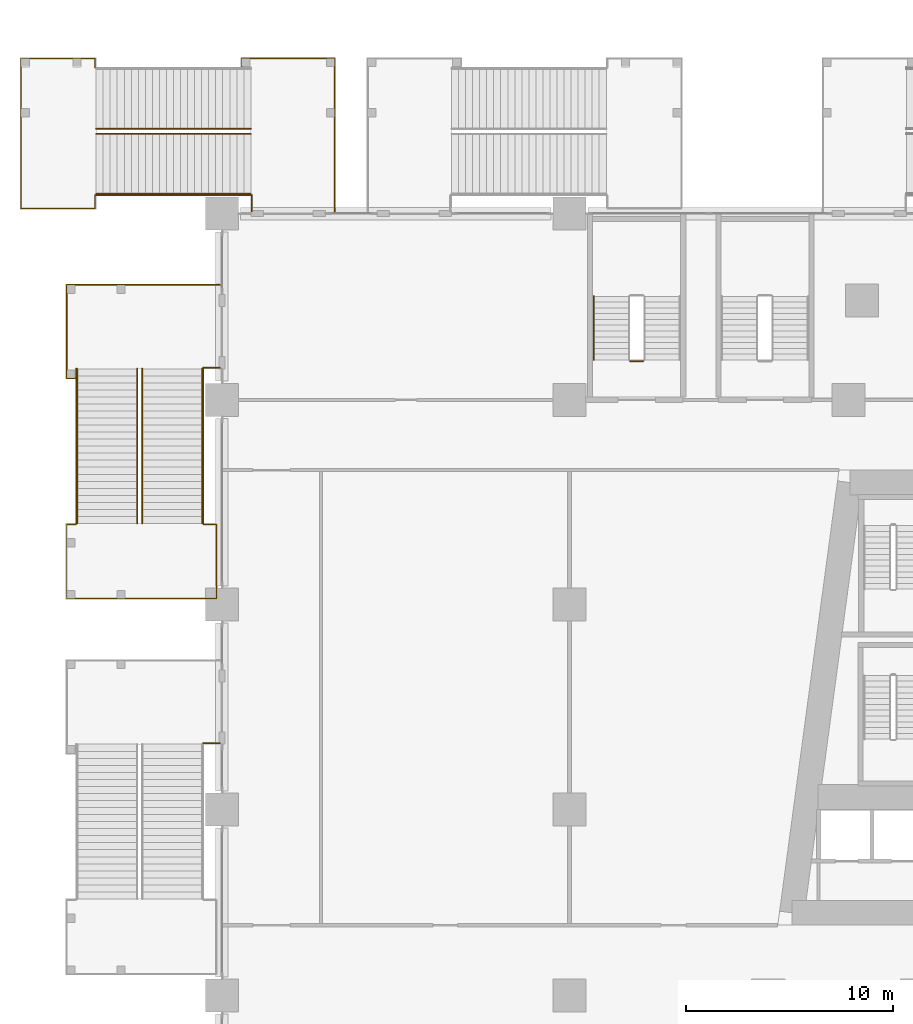
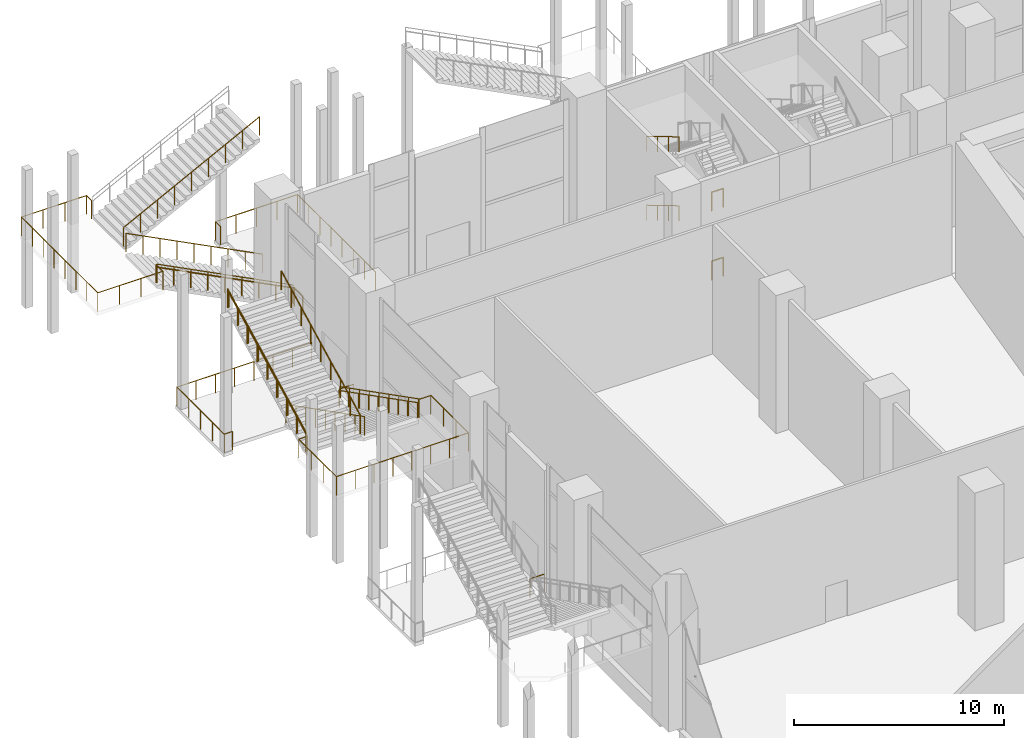
# One storey, part 43 of 52: 21 railings.
"""IFC4 building model written with IfcOpenShell, lengths in metres."""

from ifc_helpers import new_model, si_unit, direction, frame, origin, origin_2d, place, context, subcontext, project, spatial, circle, extrude, material, type_object, element, save


model = new_model("IFC4")

# Units and contexts
model_context = context("Model", 3, precision=1e-05, world=origin(), true_north=direction((0.0, 1.0)))
body_context = subcontext(model_context, "Body", "Model", "MODEL_VIEW")
ifc_project = project(units=[si_unit("LENGTHUNIT", "METRE"), si_unit("AREAUNIT", "SQUARE_METRE"), si_unit("VOLUMEUNIT", "CUBIC_METRE"), si_unit("PLANEANGLEUNIT", "RADIAN"), si_unit("MASSUNIT", "GRAM", prefix="KILO")], contexts=[model_context])

# Site, building, storey
site_placement = place(None, origin())
site = spatial("IfcSite", under=ifc_project, at=site_placement, CompositionType="ELEMENT")
building_placement = place(site_placement, origin())
building = spatial("IfcBuilding", under=site, at=building_placement, Name="Candeia Pilgrim Tower and Theatre", CompositionType="ELEMENT")
storey_placement = place(building_placement, frame((0.0, 0.0, 9.0)))
storey = spatial("IfcBuildingStorey", under=building, at=storey_placement, Name="L01", CompositionType="ELEMENT", Elevation=9.0)

# Railings
ifc_material_1 = material(Name="Stainless steel balustrade", Category="steel")
railing_type_1 = type_object("IfcRailingType", Name="RL-GUARD-1100", PredefinedType="GUARDRAIL", material=ifc_material_1)
for number, where, name in (
    (1, (79.175048828125, 137.675048828125, 4.0), "L01 PS1 stair guard 2"),
    (2, (79.175048828125, 137.675048828125, 0.0), "L01 PS1 stair guard 4"),
):
    element("IfcRailing", number, at=place(storey_placement, frame(where)), inside=storey, type_object=railing_type_1, Name=name, PredefinedType="GUARDRAIL", context=body_context, shape_type="SweptSolid", body=[
        extrude(circle(Radius=0.02392578125, at=origin_2d()), frame((0.0, 0.0, 1.076171875), z_axis=(-1.0, 0.0, 0.0), x_axis=(0.0, -1.0, 0.0)), (0.0, 0.0, 1.0), 0.650146484375),
        extrude(circle(Radius=0.02099609375, at=origin_2d()), origin(), (0.0, 0.0, 1.0), 1.052001953125),
        extrude(circle(Radius=0.02099609375, at=origin_2d()), frame((-0.650146484375, 0.0, 0.0)), (0.0, 0.0, 1.0), 1.052001953125),
    ])
railing_1_placement = place(storey_placement, frame((60.199951171875, 148.64990234375, 0.173828125)))
element("IfcRailing", 3, at=railing_1_placement, inside=storey, type_object=railing_type_1, Name="L01 ES3 stair guard 1", PredefinedType="GUARDRAIL", context=body_context, shape_type="SweptSolid", body=[
    extrude(circle(Radius=0.02392578125, at=origin_2d()), frame((0.0, 0.0, 1.076171875), z_axis=(-0.890286522184, 0.0, 0.455400821714), x_axis=(0.0, -1.0, 0.0)), (0.0, 0.0, 1.0), 8.40185546875),
    extrude(circle(Radius=0.02099609375, at=origin_2d()), origin(), (0.0, 0.0, 1.0), 1.052001953125),
    extrude(circle(Radius=0.02099609375, at=origin_2d()), frame((-0.93505859375, 0.0, 0.478271484375)), (0.0, 0.0, 1.0), 1.052001953125),
    extrude(circle(Radius=0.02099609375, at=origin_2d()), frame((-1.8701171875, 0.0, 0.95654296875)), (0.0, 0.0, 1.0), 1.052001953125),
    extrude(circle(Radius=0.02099609375, at=origin_2d()), frame((-2.804931640625, 0.0, 1.434814453125)), (0.0, 0.0, 1.0), 1.052001953125),
    extrude(circle(Radius=0.02099609375, at=origin_2d()), frame((-3.739990234375, 0.0, 1.9130859375)), (0.0, 0.0, 1.0), 1.052001953125),
    extrude(circle(Radius=0.02099609375, at=origin_2d()), frame((-4.675048828125, 0.0, 2.391357421875)), (0.0, 0.0, 1.0), 1.052001953125),
    extrude(circle(Radius=0.02099609375, at=origin_2d()), frame((-5.60986328125, 0.0, 2.86962890625)), (0.0, 0.0, 1.0), 1.052001953125),
    extrude(circle(Radius=0.02099609375, at=origin_2d()), frame((-6.544921875, 0.0, 3.347900390625)), (0.0, 0.0, 1.0), 1.052001953125),
    extrude(circle(Radius=0.02099609375, at=origin_2d()), frame((-7.47998046875, 0.0, 3.826171875)), (0.0, 0.0, 1.0), 1.052001953125),
])
railing_2_placement = place(storey_placement, frame((52.719970703125, 148.89990234375, 4.173828125)))
element("IfcRailing", 4, at=railing_2_placement, inside=storey, type_object=railing_type_1, Name="L01 ES3 stair guard 2", PredefinedType="GUARDRAIL", context=body_context, shape_type="SweptSolid", body=[
    extrude(circle(Radius=0.02392578125, at=origin_2d()), frame((0.0, 0.0, 1.076171875), z_axis=(0.890286522184, 0.0, 0.455400821714), x_axis=(0.0, 1.0, 0.0)), (0.0, 0.0, 1.0), 8.40185546875),
    extrude(circle(Radius=0.02099609375, at=origin_2d()), origin(), (0.0, 0.0, 1.0), 1.052001953125),
    extrude(circle(Radius=0.02099609375, at=origin_2d()), frame((0.93505859375, 0.0, 0.478271484375)), (0.0, 0.0, 1.0), 1.052001953125),
    extrude(circle(Radius=0.02099609375, at=origin_2d()), frame((1.8701171875, 0.0, 0.95654296875)), (0.0, 0.0, 1.0), 1.052001953125),
    extrude(circle(Radius=0.02099609375, at=origin_2d()), frame((2.804931640625, 0.0, 1.434814453125)), (0.0, 0.0, 1.0), 1.052001953125),
    extrude(circle(Radius=0.02099609375, at=origin_2d()), frame((3.739990234375, 0.0, 1.9130859375)), (0.0, 0.0, 1.0), 1.052001953125),
    extrude(circle(Radius=0.02099609375, at=origin_2d()), frame((4.675048828125, 0.0, 2.391357421875)), (0.0, 0.0, 1.0), 1.052001953125),
    extrude(circle(Radius=0.02099609375, at=origin_2d()), frame((5.60986328125, 0.0, 2.86962890625)), (0.0, 0.0, 1.0), 1.052001953125),
    extrude(circle(Radius=0.02099609375, at=origin_2d()), frame((6.544921875, 0.0, 3.347900390625)), (0.0, 0.0, 1.0), 1.052001953125),
    extrude(circle(Radius=0.02099609375, at=origin_2d()), frame((7.47998046875, 0.0, 3.826171875)), (0.0, 0.0, 1.0), 1.052001953125),
])
railing_3_placement = place(storey_placement, frame((60.199951171875, 145.699951171875, 0.173828125)))
element("IfcRailing", 5, at=railing_3_placement, inside=storey, type_object=railing_type_1, Name="L01 ES3 stair guard 3", PredefinedType="GUARDRAIL", context=body_context, shape_type="SweptSolid", body=[
    extrude(circle(Radius=0.02392578125, at=origin_2d()), frame((0.0, 0.0, 1.076171875), z_axis=(-0.890286522184, 0.0, 0.455400821714), x_axis=(0.0, -1.0, 0.0)), (0.0, 0.0, 1.0), 8.40185546875),
    extrude(circle(Radius=0.02099609375, at=origin_2d()), origin(), (0.0, 0.0, 1.0), 1.052001953125),
    extrude(circle(Radius=0.02099609375, at=origin_2d()), frame((-0.93505859375, 0.0, 0.478271484375)), (0.0, 0.0, 1.0), 1.052001953125),
    extrude(circle(Radius=0.02099609375, at=origin_2d()), frame((-1.8701171875, 0.0, 0.95654296875)), (0.0, 0.0, 1.0), 1.052001953125),
    extrude(circle(Radius=0.02099609375, at=origin_2d()), frame((-2.804931640625, 0.0, 1.434814453125)), (0.0, 0.0, 1.0), 1.052001953125),
    extrude(circle(Radius=0.02099609375, at=origin_2d()), frame((-3.739990234375, 0.0, 1.9130859375)), (0.0, 0.0, 1.0), 1.052001953125),
    extrude(circle(Radius=0.02099609375, at=origin_2d()), frame((-4.675048828125, 0.0, 2.391357421875)), (0.0, 0.0, 1.0), 1.052001953125),
    extrude(circle(Radius=0.02099609375, at=origin_2d()), frame((-5.60986328125, 0.0, 2.86962890625)), (0.0, 0.0, 1.0), 1.052001953125),
    extrude(circle(Radius=0.02099609375, at=origin_2d()), frame((-6.544921875, 0.0, 3.347900390625)), (0.0, 0.0, 1.0), 1.052001953125),
    extrude(circle(Radius=0.02099609375, at=origin_2d()), frame((-7.47998046875, 0.0, 3.826171875)), (0.0, 0.0, 1.0), 1.052001953125),
])
railing_4_placement = place(storey_placement, frame((52.669921875, 145.699951171875, 4.0)))
element("IfcRailing", 6, at=railing_4_placement, inside=storey, type_object=railing_type_1, Name="L01 ES3 stair guard 5", PredefinedType="GUARDRAIL", context=body_context, shape_type="SweptSolid", body=[
    extrude(circle(Radius=0.02392578125, at=origin_2d()), frame((0.0, 0.0, 1.076171875), z_axis=(0.0, -1.0, 0.0), x_axis=(1.0, 0.0, 0.0)), (0.0, 0.0, 1.0), 0.64990234375),
    extrude(circle(Radius=0.02392578125, at=origin_2d()), frame((0.0, -0.64990234375, 1.076171875), z_axis=(-1.0, 0.0, 0.0), x_axis=(0.0, -1.0, 0.0)), (0.0, 0.0, 1.0), 3.579833984375),
    extrude(circle(Radius=0.02392578125, at=origin_2d()), frame((-3.579833984375, -0.64990234375, 1.076171875), z_axis=(0.0, 1.0, 0.0), x_axis=(-1.0, 0.0, 0.0)), (0.0, 0.0, 1.0), 7.25),
    extrude(circle(Radius=0.02392578125, at=origin_2d()), frame((-3.579833984375, 6.60009765625, 1.076171875), z_axis=(1.0, 0.0, 0.0), x_axis=(0.0, 1.0, 0.0)), (0.0, 0.0, 1.0), 3.579833984375),
    extrude(circle(Radius=0.02392578125, at=origin_2d()), frame((0.0, 6.60009765625, 1.076171875), z_axis=(0.0, -1.0, 0.0), x_axis=(1.0, 0.0, 0.0)), (0.0, 0.0, 1.0), 0.449951171875),
    extrude(circle(Radius=0.02099609375, at=origin_2d()), origin(), (0.0, 0.0, 1.0), 1.052001953125),
    extrude(circle(Radius=0.02099609375, at=origin_2d()), frame((0.0, -0.64990234375, 0.0)), (0.0, 0.0, 1.0), 1.052001953125),
    extrude(circle(Radius=0.02099609375, at=origin_2d()), frame((-1.193359375, -0.64990234375, 0.0)), (0.0, 0.0, 1.0), 1.052001953125),
    extrude(circle(Radius=0.02099609375, at=origin_2d()), frame((-2.386474609375, -0.64990234375, 0.0)), (0.0, 0.0, 1.0), 1.052001953125),
    extrude(circle(Radius=0.02099609375, at=origin_2d()), frame((-3.579833984375, -0.64990234375, 0.0)), (0.0, 0.0, 1.0), 1.052001953125),
    extrude(circle(Radius=0.02099609375, at=origin_2d()), frame((-3.579833984375, 0.3857421875, 0.0)), (0.0, 0.0, 1.0), 1.052001953125),
    extrude(circle(Radius=0.02099609375, at=origin_2d()), frame((-3.579833984375, 1.421630859375, 0.0)), (0.0, 0.0, 1.0), 1.052001953125),
    extrude(circle(Radius=0.02099609375, at=origin_2d()), frame((-3.579833984375, 2.457275390625, 0.0)), (0.0, 0.0, 1.0), 1.052001953125),
    extrude(circle(Radius=0.02099609375, at=origin_2d()), frame((-3.579833984375, 3.492919921875, 0.0)), (0.0, 0.0, 1.0), 1.052001953125),
    extrude(circle(Radius=0.02099609375, at=origin_2d()), frame((-3.579833984375, 4.528564453125, 0.0)), (0.0, 0.0, 1.0), 1.052001953125),
    extrude(circle(Radius=0.02099609375, at=origin_2d()), frame((-3.579833984375, 5.564453125, 0.0)), (0.0, 0.0, 1.0), 1.052001953125),
    extrude(circle(Radius=0.02099609375, at=origin_2d()), frame((-3.579833984375, 6.60009765625, 0.0)), (0.0, 0.0, 1.0), 1.052001953125),
    extrude(circle(Radius=0.02099609375, at=origin_2d()), frame((-2.386474609375, 6.60009765625, 0.0)), (0.0, 0.0, 1.0), 1.052001953125),
    extrude(circle(Radius=0.02099609375, at=origin_2d()), frame((-1.193359375, 6.60009765625, 0.0)), (0.0, 0.0, 1.0), 1.052001953125),
    extrude(circle(Radius=0.02099609375, at=origin_2d()), frame((0.0, 6.60009765625, 0.0)), (0.0, 0.0, 1.0), 1.052001953125),
    extrude(circle(Radius=0.02099609375, at=origin_2d()), frame((0.0, 6.150146484375, 0.0)), (0.0, 0.0, 1.0), 1.052001953125),
])
railing_5_placement = place(storey_placement, frame((64.25, 144.89990234375, 0.0)))
element("IfcRailing", 7, at=railing_5_placement, inside=storey, type_object=railing_type_1, Name="L01 External escape stair ES3 landing guard", PredefinedType="GUARDRAIL", context=body_context, shape_type="SweptSolid", body=[
    extrude(circle(Radius=0.02392578125, at=origin_2d()), frame((0.0, 0.0, 1.076171875), z_axis=(0.0, 1.0, 0.0), x_axis=(-1.0, 0.0, 0.0)), (0.0, 0.0, 1.0), 7.400146484375),
    extrude(circle(Radius=0.02392578125, at=origin_2d()), frame((0.0, 7.400146484375, 1.076171875), z_axis=(-1.0, 0.0, 0.0), x_axis=(0.0, -1.0, 0.0)), (0.0, 0.0, 1.0), 4.5),
    extrude(circle(Radius=0.02392578125, at=origin_2d()), frame((-4.5, 7.400146484375, 1.076171875), z_axis=(0.0, -1.0, 0.0), x_axis=(1.0, 0.0, 0.0)), (0.0, 0.0, 1.0), 0.449951171875),
    extrude(circle(Radius=0.02099609375, at=origin_2d()), origin(), (0.0, 0.0, 1.0), 1.052001953125),
    extrude(circle(Radius=0.02099609375, at=origin_2d()), frame((0.0, 1.05712890625, 0.0)), (0.0, 0.0, 1.0), 1.052001953125),
    extrude(circle(Radius=0.02099609375, at=origin_2d()), frame((0.0, 2.1142578125, 0.0)), (0.0, 0.0, 1.0), 1.052001953125),
    extrude(circle(Radius=0.02099609375, at=origin_2d()), frame((0.0, 3.17138671875, 0.0)), (0.0, 0.0, 1.0), 1.052001953125),
    extrude(circle(Radius=0.02099609375, at=origin_2d()), frame((0.0, 4.228759765625, 0.0)), (0.0, 0.0, 1.0), 1.052001953125),
    extrude(circle(Radius=0.02099609375, at=origin_2d()), frame((0.0, 5.285888671875, 0.0)), (0.0, 0.0, 1.0), 1.052001953125),
    extrude(circle(Radius=0.02099609375, at=origin_2d()), frame((0.0, 6.343017578125, 0.0)), (0.0, 0.0, 1.0), 1.052001953125),
    extrude(circle(Radius=0.02099609375, at=origin_2d()), frame((0.0, 7.400146484375, 0.0)), (0.0, 0.0, 1.0), 1.052001953125),
    extrude(circle(Radius=0.02099609375, at=origin_2d()), frame((-1.125, 7.400146484375, 0.0)), (0.0, 0.0, 1.0), 1.052001953125),
    extrude(circle(Radius=0.02099609375, at=origin_2d()), frame((-2.25, 7.400146484375, 0.0)), (0.0, 0.0, 1.0), 1.052001953125),
    extrude(circle(Radius=0.02099609375, at=origin_2d()), frame((-3.375, 7.400146484375, 0.0)), (0.0, 0.0, 1.0), 1.052001953125),
    extrude(circle(Radius=0.02099609375, at=origin_2d()), frame((-4.5, 7.400146484375, 0.0)), (0.0, 0.0, 1.0), 1.052001953125),
    extrude(circle(Radius=0.02099609375, at=origin_2d()), frame((-4.5, 6.9501953125, 0.0)), (0.0, 0.0, 1.0), 1.052001953125),
])
railing_6_placement = place(storey_placement, frame((60.25, 144.89990234375, 0.0)))
element("IfcRailing", 8, at=railing_6_placement, inside=storey, type_object=railing_type_1, Name="L01 External escape stair ES3 bridge guard", PredefinedType="GUARDRAIL", context=body_context, shape_type="SweptSolid", body=[
    extrude(circle(Radius=0.02392578125, at=origin_2d()), frame((0.0, 0.0, 1.076171875), z_axis=(0.0, 1.0, 0.0), x_axis=(-1.0, 0.0, 0.0)), (0.0, 0.0, 1.0), 0.800048828125),
    extrude(circle(Radius=0.02099609375, at=origin_2d()), origin(), (0.0, 0.0, 1.0), 1.052001953125),
    extrude(circle(Radius=0.02099609375, at=origin_2d()), frame((0.0, 0.800048828125, 0.0)), (0.0, 0.0, 1.0), 1.052001953125),
])
railing_7_placement = place(storey_placement, frame((54.949951171875, 137.300048828125, 0.173828125)))
element("IfcRailing", 9, at=railing_7_placement, inside=storey, type_object=railing_type_1, Name="L01 ES13 stair guard 1", PredefinedType="GUARDRAIL", context=body_context, shape_type="SweptSolid", body=[
    extrude(circle(Radius=0.02392578125, at=origin_2d()), frame((0.0, 0.0, 1.076171875), z_axis=(0.0, -0.890286522184, 0.455400821714), x_axis=(1.0, 0.0, 0.0)), (0.0, 0.0, 1.0), 8.40185546875),
    extrude(circle(Radius=0.02099609375, at=origin_2d()), origin(), (0.0, 0.0, 1.0), 1.052001953125),
    extrude(circle(Radius=0.02099609375, at=origin_2d()), frame((0.0, -0.93505859375, 0.478271484375)), (0.0, 0.0, 1.0), 1.052001953125),
    extrude(circle(Radius=0.02099609375, at=origin_2d()), frame((0.0, -1.8701171875, 0.95654296875)), (0.0, 0.0, 1.0), 1.052001953125),
    extrude(circle(Radius=0.02099609375, at=origin_2d()), frame((0.0, -2.804931640625, 1.434814453125)), (0.0, 0.0, 1.0), 1.052001953125),
    extrude(circle(Radius=0.02099609375, at=origin_2d()), frame((0.0, -3.739990234375, 1.9130859375)), (0.0, 0.0, 1.0), 1.052001953125),
    extrude(circle(Radius=0.02099609375, at=origin_2d()), frame((0.0, -4.675048828125, 2.391357421875)), (0.0, 0.0, 1.0), 1.052001953125),
    extrude(circle(Radius=0.02099609375, at=origin_2d()), frame((0.0, -5.60986328125, 2.86962890625)), (0.0, 0.0, 1.0), 1.052001953125),
    extrude(circle(Radius=0.02099609375, at=origin_2d()), frame((0.0, -6.544921875, 3.347900390625)), (0.0, 0.0, 1.0), 1.052001953125),
    extrude(circle(Radius=0.02099609375, at=origin_2d()), frame((0.0, -7.47998046875, 3.826171875)), (0.0, 0.0, 1.0), 1.052001953125),
])
railing_8_placement = place(storey_placement, frame((54.699951171875, 129.820068359375, 4.173828125)))
element("IfcRailing", 10, at=railing_8_placement, inside=storey, type_object=railing_type_1, Name="L01 ES13 stair guard 2", PredefinedType="GUARDRAIL", context=body_context, shape_type="SweptSolid", body=[
    extrude(circle(Radius=0.02392578125, at=origin_2d()), frame((0.0, 0.0, 1.076171875), z_axis=(0.0, 0.890286522184, 0.455400821714), x_axis=(-1.0, 0.0, 0.0)), (0.0, 0.0, 1.0), 8.40185546875),
    extrude(circle(Radius=0.02099609375, at=origin_2d()), origin(), (0.0, 0.0, 1.0), 1.052001953125),
    extrude(circle(Radius=0.02099609375, at=origin_2d()), frame((0.0, 0.93505859375, 0.478271484375)), (0.0, 0.0, 1.0), 1.052001953125),
    extrude(circle(Radius=0.02099609375, at=origin_2d()), frame((0.0, 1.8701171875, 0.95654296875)), (0.0, 0.0, 1.0), 1.052001953125),
    extrude(circle(Radius=0.02099609375, at=origin_2d()), frame((0.0, 2.804931640625, 1.434814453125)), (0.0, 0.0, 1.0), 1.052001953125),
    extrude(circle(Radius=0.02099609375, at=origin_2d()), frame((0.0, 3.739990234375, 1.9130859375)), (0.0, 0.0, 1.0), 1.052001953125),
    extrude(circle(Radius=0.02099609375, at=origin_2d()), frame((0.0, 4.675048828125, 2.391357421875)), (0.0, 0.0, 1.0), 1.052001953125),
    extrude(circle(Radius=0.02099609375, at=origin_2d()), frame((0.0, 5.60986328125, 2.86962890625)), (0.0, 0.0, 1.0), 1.052001953125),
    extrude(circle(Radius=0.02099609375, at=origin_2d()), frame((0.0, 6.544921875, 3.347900390625)), (0.0, 0.0, 1.0), 1.052001953125),
    extrude(circle(Radius=0.02099609375, at=origin_2d()), frame((0.0, 7.47998046875, 3.826171875)), (0.0, 0.0, 1.0), 1.052001953125),
])
railing_9_placement = place(storey_placement, frame((57.89990234375, 137.300048828125, 0.173828125)))
element("IfcRailing", 11, at=railing_9_placement, inside=storey, type_object=railing_type_1, Name="L01 ES13 stair guard 3", PredefinedType="GUARDRAIL", context=body_context, shape_type="SweptSolid", body=[
    extrude(circle(Radius=0.02392578125, at=origin_2d()), frame((0.0, 0.0, 1.076171875), z_axis=(0.0, -0.890286522184, 0.455400821714), x_axis=(1.0, 0.0, 0.0)), (0.0, 0.0, 1.0), 8.40185546875),
    extrude(circle(Radius=0.02099609375, at=origin_2d()), origin(), (0.0, 0.0, 1.0), 1.052001953125),
    extrude(circle(Radius=0.02099609375, at=origin_2d()), frame((0.0, -0.93505859375, 0.478271484375)), (0.0, 0.0, 1.0), 1.052001953125),
    extrude(circle(Radius=0.02099609375, at=origin_2d()), frame((0.0, -1.8701171875, 0.95654296875)), (0.0, 0.0, 1.0), 1.052001953125),
    extrude(circle(Radius=0.02099609375, at=origin_2d()), frame((0.0, -2.804931640625, 1.434814453125)), (0.0, 0.0, 1.0), 1.052001953125),
    extrude(circle(Radius=0.02099609375, at=origin_2d()), frame((0.0, -3.739990234375, 1.9130859375)), (0.0, 0.0, 1.0), 1.052001953125),
    extrude(circle(Radius=0.02099609375, at=origin_2d()), frame((0.0, -4.675048828125, 2.391357421875)), (0.0, 0.0, 1.0), 1.052001953125),
    extrude(circle(Radius=0.02099609375, at=origin_2d()), frame((0.0, -5.60986328125, 2.86962890625)), (0.0, 0.0, 1.0), 1.052001953125),
    extrude(circle(Radius=0.02099609375, at=origin_2d()), frame((0.0, -6.544921875, 3.347900390625)), (0.0, 0.0, 1.0), 1.052001953125),
    extrude(circle(Radius=0.02099609375, at=origin_2d()), frame((0.0, -7.47998046875, 3.826171875)), (0.0, 0.0, 1.0), 1.052001953125),
])
railing_10_placement = place(storey_placement, frame((51.75, 129.820068359375, 4.173828125)))
element("IfcRailing", 12, at=railing_10_placement, inside=storey, type_object=railing_type_1, Name="L01 ES13 stair guard 4", PredefinedType="GUARDRAIL", context=body_context, shape_type="SweptSolid", body=[
    extrude(circle(Radius=0.02392578125, at=origin_2d()), frame((0.0, 0.0, 1.076171875), z_axis=(0.0, 0.890286522184, 0.455400821714), x_axis=(-1.0, 0.0, 0.0)), (0.0, 0.0, 1.0), 8.40185546875),
    extrude(circle(Radius=0.02099609375, at=origin_2d()), origin(), (0.0, 0.0, 1.0), 1.052001953125),
    extrude(circle(Radius=0.02099609375, at=origin_2d()), frame((0.0, 0.93505859375, 0.478271484375)), (0.0, 0.0, 1.0), 1.052001953125),
    extrude(circle(Radius=0.02099609375, at=origin_2d()), frame((0.0, 1.8701171875, 0.95654296875)), (0.0, 0.0, 1.0), 1.052001953125),
    extrude(circle(Radius=0.02099609375, at=origin_2d()), frame((0.0, 2.804931640625, 1.434814453125)), (0.0, 0.0, 1.0), 1.052001953125),
    extrude(circle(Radius=0.02099609375, at=origin_2d()), frame((0.0, 3.739990234375, 1.9130859375)), (0.0, 0.0, 1.0), 1.052001953125),
    extrude(circle(Radius=0.02099609375, at=origin_2d()), frame((0.0, 4.675048828125, 2.391357421875)), (0.0, 0.0, 1.0), 1.052001953125),
    extrude(circle(Radius=0.02099609375, at=origin_2d()), frame((0.0, 5.60986328125, 2.86962890625)), (0.0, 0.0, 1.0), 1.052001953125),
    extrude(circle(Radius=0.02099609375, at=origin_2d()), frame((0.0, 6.544921875, 3.347900390625)), (0.0, 0.0, 1.0), 1.052001953125),
    extrude(circle(Radius=0.02099609375, at=origin_2d()), frame((0.0, 7.47998046875, 3.826171875)), (0.0, 0.0, 1.0), 1.052001953125),
])
railing_11_placement = place(storey_placement, frame((57.89990234375, 129.77001953125, 4.0)))
element("IfcRailing", 13, at=railing_11_placement, inside=storey, type_object=railing_type_1, Name="L01 ES13 stair guard 5", PredefinedType="GUARDRAIL", context=body_context, shape_type="SweptSolid", body=[
    extrude(circle(Radius=0.02392578125, at=origin_2d()), frame((0.0, 0.0, 1.076171875), z_axis=(1.0, 0.0, 0.0), x_axis=(0.0, 1.0, 0.0)), (0.0, 0.0, 1.0), 0.650146484375),
    extrude(circle(Radius=0.02392578125, at=origin_2d()), frame((0.650146484375, 0.0, 1.076171875), z_axis=(0.0, -1.0, 0.0), x_axis=(1.0, 0.0, 0.0)), (0.0, 0.0, 1.0), 3.580078125),
    extrude(circle(Radius=0.02392578125, at=origin_2d()), frame((0.650146484375, -3.580078125, 1.076171875), z_axis=(-1.0, 0.0, 0.0), x_axis=(0.0, -1.0, 0.0)), (0.0, 0.0, 1.0), 7.25),
    extrude(circle(Radius=0.02392578125, at=origin_2d()), frame((-6.599853515625, -3.580078125, 1.076171875), z_axis=(0.0, 1.0, 0.0), x_axis=(-1.0, 0.0, 0.0)), (0.0, 0.0, 1.0), 3.580078125),
    extrude(circle(Radius=0.02392578125, at=origin_2d()), frame((-6.599853515625, 0.0, 1.076171875), z_axis=(1.0, 0.0, 0.0), x_axis=(0.0, 1.0, 0.0)), (0.0, 0.0, 1.0), 0.449951171875),
    extrude(circle(Radius=0.02099609375, at=origin_2d()), origin(), (0.0, 0.0, 1.0), 1.052001953125),
    extrude(circle(Radius=0.02099609375, at=origin_2d()), frame((0.650146484375, 0.0, 0.0)), (0.0, 0.0, 1.0), 1.052001953125),
    extrude(circle(Radius=0.02099609375, at=origin_2d()), frame((0.650146484375, -1.193359375, 0.0)), (0.0, 0.0, 1.0), 1.052001953125),
    extrude(circle(Radius=0.02099609375, at=origin_2d()), frame((0.650146484375, -2.38671875, 0.0)), (0.0, 0.0, 1.0), 1.052001953125),
    extrude(circle(Radius=0.02099609375, at=origin_2d()), frame((0.650146484375, -3.580078125, 0.0)), (0.0, 0.0, 1.0), 1.052001953125),
    extrude(circle(Radius=0.02099609375, at=origin_2d()), frame((-0.385498046875, -3.580078125, 0.0)), (0.0, 0.0, 1.0), 1.052001953125),
    extrude(circle(Radius=0.02099609375, at=origin_2d()), frame((-1.42138671875, -3.580078125, 0.0)), (0.0, 0.0, 1.0), 1.052001953125),
    extrude(circle(Radius=0.02099609375, at=origin_2d()), frame((-2.45703125, -3.580078125, 0.0)), (0.0, 0.0, 1.0), 1.052001953125),
    extrude(circle(Radius=0.02099609375, at=origin_2d()), frame((-3.49267578125, -3.580078125, 0.0)), (0.0, 0.0, 1.0), 1.052001953125),
    extrude(circle(Radius=0.02099609375, at=origin_2d()), frame((-4.5283203125, -3.580078125, 0.0)), (0.0, 0.0, 1.0), 1.052001953125),
    extrude(circle(Radius=0.02099609375, at=origin_2d()), frame((-5.564208984375, -3.580078125, 0.0)), (0.0, 0.0, 1.0), 1.052001953125),
    extrude(circle(Radius=0.02099609375, at=origin_2d()), frame((-6.599853515625, -3.580078125, 0.0)), (0.0, 0.0, 1.0), 1.052001953125),
    extrude(circle(Radius=0.02099609375, at=origin_2d()), frame((-6.599853515625, -2.38671875, 0.0)), (0.0, 0.0, 1.0), 1.052001953125),
    extrude(circle(Radius=0.02099609375, at=origin_2d()), frame((-6.599853515625, -1.193359375, 0.0)), (0.0, 0.0, 1.0), 1.052001953125),
    extrude(circle(Radius=0.02099609375, at=origin_2d()), frame((-6.599853515625, 0.0, 0.0)), (0.0, 0.0, 1.0), 1.052001953125),
    extrude(circle(Radius=0.02099609375, at=origin_2d()), frame((-6.14990234375, 0.0, 0.0)), (0.0, 0.0, 1.0), 1.052001953125),
])
railing_12_placement = place(storey_placement, frame((58.699951171875, 141.35009765625, 0.0)))
element("IfcRailing", 14, at=railing_12_placement, inside=storey, type_object=railing_type_1, Name="L01 External escape stair ES13 landing guard", PredefinedType="GUARDRAIL", context=body_context, shape_type="SweptSolid", body=[
    extrude(circle(Radius=0.02392578125, at=origin_2d()), frame((0.0, 0.0, 1.076171875), z_axis=(-1.0, 0.0, 0.0), x_axis=(0.0, -1.0, 0.0)), (0.0, 0.0, 1.0), 7.39990234375),
    extrude(circle(Radius=0.02392578125, at=origin_2d()), frame((-7.39990234375, 0.0, 1.076171875), z_axis=(0.0, -1.0, 0.0), x_axis=(1.0, 0.0, 0.0)), (0.0, 0.0, 1.0), 4.5),
    extrude(circle(Radius=0.02392578125, at=origin_2d()), frame((-7.39990234375, -4.5, 1.076171875), z_axis=(1.0, 0.0, 0.0), x_axis=(0.0, 1.0, 0.0)), (0.0, 0.0, 1.0), 0.449951171875),
    extrude(circle(Radius=0.02099609375, at=origin_2d()), origin(), (0.0, 0.0, 1.0), 1.052001953125),
    extrude(circle(Radius=0.02099609375, at=origin_2d()), frame((-1.05712890625, 0.0, 0.0)), (0.0, 0.0, 1.0), 1.052001953125),
    extrude(circle(Radius=0.02099609375, at=origin_2d()), frame((-2.1142578125, 0.0, 0.0)), (0.0, 0.0, 1.0), 1.052001953125),
    extrude(circle(Radius=0.02099609375, at=origin_2d()), frame((-3.17138671875, 0.0, 0.0)), (0.0, 0.0, 1.0), 1.052001953125),
    extrude(circle(Radius=0.02099609375, at=origin_2d()), frame((-4.228515625, 0.0, 0.0)), (0.0, 0.0, 1.0), 1.052001953125),
    extrude(circle(Radius=0.02099609375, at=origin_2d()), frame((-5.28564453125, 0.0, 0.0)), (0.0, 0.0, 1.0), 1.052001953125),
    extrude(circle(Radius=0.02099609375, at=origin_2d()), frame((-6.3427734375, 0.0, 0.0)), (0.0, 0.0, 1.0), 1.052001953125),
    extrude(circle(Radius=0.02099609375, at=origin_2d()), frame((-7.39990234375, 0.0, 0.0)), (0.0, 0.0, 1.0), 1.052001953125),
    extrude(circle(Radius=0.02099609375, at=origin_2d()), frame((-7.39990234375, -1.125, 0.0)), (0.0, 0.0, 1.0), 1.052001953125),
    extrude(circle(Radius=0.02099609375, at=origin_2d()), frame((-7.39990234375, -2.25, 0.0)), (0.0, 0.0, 1.0), 1.052001953125),
    extrude(circle(Radius=0.02099609375, at=origin_2d()), frame((-7.39990234375, -3.375, 0.0)), (0.0, 0.0, 1.0), 1.052001953125),
    extrude(circle(Radius=0.02099609375, at=origin_2d()), frame((-7.39990234375, -4.5, 0.0)), (0.0, 0.0, 1.0), 1.052001953125),
    extrude(circle(Radius=0.02099609375, at=origin_2d()), frame((-6.949951171875, -4.5, 0.0)), (0.0, 0.0, 1.0), 1.052001953125),
])
for number, where, name in (
    (15, (58.699951171875, 137.35009765625, 0.0), "L01 External escape stair ES13 bridge guard"),
    (16, (58.699951171875, 119.199951171875, 0.0), "L01 External escape stair ES15 bridge guard"),
):
    element("IfcRailing", number, at=place(storey_placement, frame(where)), inside=storey, type_object=railing_type_1, Name=name, PredefinedType="GUARDRAIL", context=body_context, shape_type="SweptSolid", body=[
        extrude(circle(Radius=0.02392578125, at=origin_2d()), frame((0.0, 0.0, 1.076171875), z_axis=(-1.0, 0.0, 0.0), x_axis=(0.0, -1.0, 0.0)), (0.0, 0.0, 1.0), 0.800048828125),
        extrude(circle(Radius=0.02099609375, at=origin_2d()), origin(), (0.0, 0.0, 1.0), 1.052001953125),
        extrude(circle(Radius=0.02099609375, at=origin_2d()), frame((-0.800048828125, 0.0, 0.0)), (0.0, 0.0, 1.0), 1.052001953125),
    ])
ifc_material_2 = material(Name="Stainless steel handrail", Category="steel")
railing_type_2 = type_object("IfcRailingType", Name="RL-HANDRAIL-900", PredefinedType="HANDRAIL", material=ifc_material_2)
for number, where, name in (
    (17, (76.77490234375, 140.804931640625, 2.166748046875), "L01 PS1 stair handrail 2"),
    (18, (76.77490234375, 140.804931640625, 6.166748046875), "L01 PS1 stair handrail 4"),
):
    element("IfcRailing", number, at=place(storey_placement, frame(where)), inside=storey, type_object=railing_type_2, Name=name, PredefinedType="HANDRAIL", context=body_context, shape_type="SweptSolid", body=[
        extrude(circle(Radius=0.02392578125, at=origin_2d()), frame((0.0, 0.0, 0.8759765625), z_axis=(0.0, -0.859290745958, 0.51148745235), x_axis=(1.0, 0.0, 0.0)), (0.0, 0.0, 1.0), 3.584228515625),
        extrude(circle(Radius=0.02099609375, at=origin_2d()), origin(), (0.0, 0.0, 1.0), 0.851806640625),
        extrude(circle(Radius=0.02099609375, at=origin_2d()), frame((0.0, -1.026611328125, 0.611083984375)), (0.0, 0.0, 1.0), 0.851806640625),
        extrude(circle(Radius=0.02099609375, at=origin_2d()), frame((0.0, -2.05322265625, 1.22216796875)), (0.0, 0.0, 1.0), 0.851806640625),
        extrude(circle(Radius=0.02099609375, at=origin_2d()), frame((0.0, -3.079833984375, 1.833251953125)), (0.0, 0.0, 1.0), 0.851806640625),
    ])
railing_13_placement = place(storey_placement, frame((60.199951171875, 145.75, 0.173828125)))
element("IfcRailing", 19, at=railing_13_placement, inside=storey, type_object=railing_type_2, Name="L01 ES3 stair handrail 1", PredefinedType="HANDRAIL", context=body_context, shape_type="SweptSolid", body=[
    extrude(circle(Radius=0.02392578125, at=origin_2d()), frame((0.0, 0.0, 0.8759765625), z_axis=(-0.890286522184, 0.0, 0.455400821714), x_axis=(0.0, -1.0, 0.0)), (0.0, 0.0, 1.0), 8.40185546875),
    extrude(circle(Radius=0.02099609375, at=origin_2d()), origin(), (0.0, 0.0, 1.0), 0.851806640625),
    extrude(circle(Radius=0.02099609375, at=origin_2d()), frame((-0.93505859375, 0.0, 0.478271484375)), (0.0, 0.0, 1.0), 0.851806640625),
    extrude(circle(Radius=0.02099609375, at=origin_2d()), frame((-1.8701171875, 0.0, 0.95654296875)), (0.0, 0.0, 1.0), 0.851806640625),
    extrude(circle(Radius=0.02099609375, at=origin_2d()), frame((-2.804931640625, 0.0, 1.434814453125)), (0.0, 0.0, 1.0), 0.851806640625),
    extrude(circle(Radius=0.02099609375, at=origin_2d()), frame((-3.739990234375, 0.0, 1.9130859375)), (0.0, 0.0, 1.0), 0.851806640625),
    extrude(circle(Radius=0.02099609375, at=origin_2d()), frame((-4.675048828125, 0.0, 2.391357421875)), (0.0, 0.0, 1.0), 0.851806640625),
    extrude(circle(Radius=0.02099609375, at=origin_2d()), frame((-5.60986328125, 0.0, 2.86962890625)), (0.0, 0.0, 1.0), 0.851806640625),
    extrude(circle(Radius=0.02099609375, at=origin_2d()), frame((-6.544921875, 0.0, 3.347900390625)), (0.0, 0.0, 1.0), 0.851806640625),
    extrude(circle(Radius=0.02099609375, at=origin_2d()), frame((-7.47998046875, 0.0, 3.826171875)), (0.0, 0.0, 1.0), 0.851806640625),
])
railing_14_placement = place(storey_placement, frame((57.85009765625, 137.300048828125, 0.173828125)))
element("IfcRailing", 20, at=railing_14_placement, inside=storey, type_object=railing_type_2, Name="L01 ES13 stair handrail 1", PredefinedType="HANDRAIL", context=body_context, shape_type="SweptSolid", body=[
    extrude(circle(Radius=0.02392578125, at=origin_2d()), frame((0.0, 0.0, 0.8759765625), z_axis=(0.0, -0.890286522184, 0.455400821714), x_axis=(1.0, 0.0, 0.0)), (0.0, 0.0, 1.0), 8.40185546875),
    extrude(circle(Radius=0.02099609375, at=origin_2d()), origin(), (0.0, 0.0, 1.0), 0.851806640625),
    extrude(circle(Radius=0.02099609375, at=origin_2d()), frame((0.0, -0.93505859375, 0.478271484375)), (0.0, 0.0, 1.0), 0.851806640625),
    extrude(circle(Radius=0.02099609375, at=origin_2d()), frame((0.0, -1.8701171875, 0.95654296875)), (0.0, 0.0, 1.0), 0.851806640625),
    extrude(circle(Radius=0.02099609375, at=origin_2d()), frame((0.0, -2.804931640625, 1.434814453125)), (0.0, 0.0, 1.0), 0.851806640625),
    extrude(circle(Radius=0.02099609375, at=origin_2d()), frame((0.0, -3.739990234375, 1.9130859375)), (0.0, 0.0, 1.0), 0.851806640625),
    extrude(circle(Radius=0.02099609375, at=origin_2d()), frame((0.0, -4.675048828125, 2.391357421875)), (0.0, 0.0, 1.0), 0.851806640625),
    extrude(circle(Radius=0.02099609375, at=origin_2d()), frame((0.0, -5.60986328125, 2.86962890625)), (0.0, 0.0, 1.0), 0.851806640625),
    extrude(circle(Radius=0.02099609375, at=origin_2d()), frame((0.0, -6.544921875, 3.347900390625)), (0.0, 0.0, 1.0), 0.851806640625),
    extrude(circle(Radius=0.02099609375, at=origin_2d()), frame((0.0, -7.47998046875, 3.826171875)), (0.0, 0.0, 1.0), 0.851806640625),
])
railing_15_placement = place(storey_placement, frame((51.800048828125, 129.820068359375, 4.173828125)))
element("IfcRailing", 21, at=railing_15_placement, inside=storey, type_object=railing_type_2, Name="L01 ES13 stair handrail 2", PredefinedType="HANDRAIL", context=body_context, shape_type="SweptSolid", body=[
    extrude(circle(Radius=0.02392578125, at=origin_2d()), frame((0.0, 0.0, 0.8759765625), z_axis=(0.0, 0.890286522184, 0.455400821714), x_axis=(-1.0, 0.0, 0.0)), (0.0, 0.0, 1.0), 8.40185546875),
    extrude(circle(Radius=0.02099609375, at=origin_2d()), origin(), (0.0, 0.0, 1.0), 0.851806640625),
    extrude(circle(Radius=0.02099609375, at=origin_2d()), frame((0.0, 0.93505859375, 0.478271484375)), (0.0, 0.0, 1.0), 0.851806640625),
    extrude(circle(Radius=0.02099609375, at=origin_2d()), frame((0.0, 1.8701171875, 0.95654296875)), (0.0, 0.0, 1.0), 0.851806640625),
    extrude(circle(Radius=0.02099609375, at=origin_2d()), frame((0.0, 2.804931640625, 1.434814453125)), (0.0, 0.0, 1.0), 0.851806640625),
    extrude(circle(Radius=0.02099609375, at=origin_2d()), frame((0.0, 3.739990234375, 1.9130859375)), (0.0, 0.0, 1.0), 0.851806640625),
    extrude(circle(Radius=0.02099609375, at=origin_2d()), frame((0.0, 4.675048828125, 2.391357421875)), (0.0, 0.0, 1.0), 0.851806640625),
    extrude(circle(Radius=0.02099609375, at=origin_2d()), frame((0.0, 5.60986328125, 2.86962890625)), (0.0, 0.0, 1.0), 0.851806640625),
    extrude(circle(Radius=0.02099609375, at=origin_2d()), frame((0.0, 6.544921875, 3.347900390625)), (0.0, 0.0, 1.0), 0.851806640625),
    extrude(circle(Radius=0.02099609375, at=origin_2d()), frame((0.0, 7.47998046875, 3.826171875)), (0.0, 0.0, 1.0), 0.851806640625),
])

save(model, "model.ifc")
